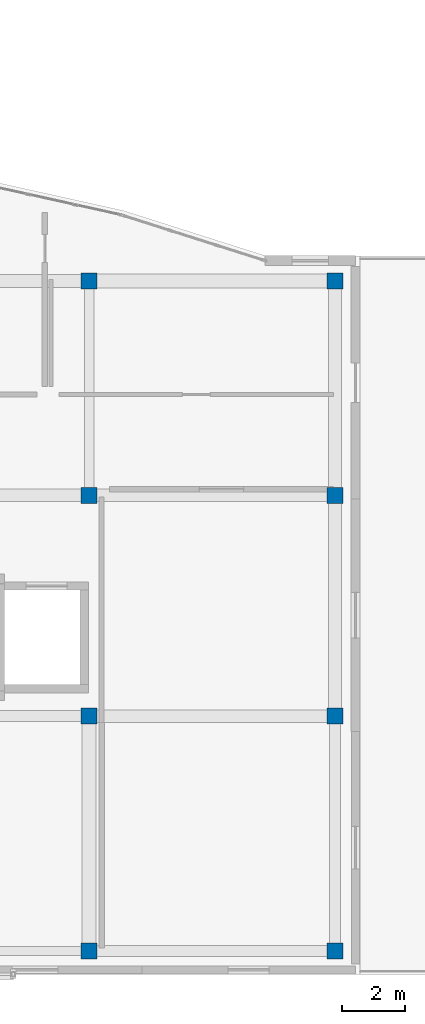
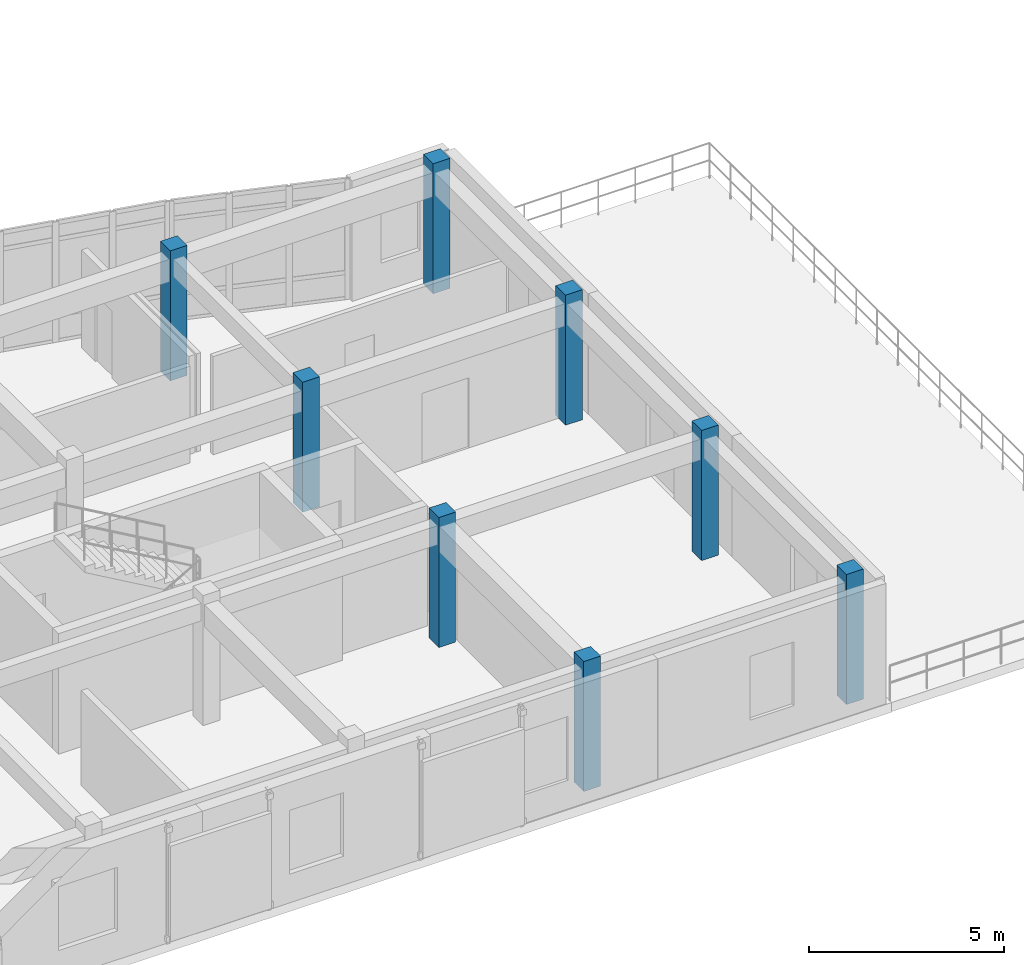
# One storey, part 5 of 91: 8 columns.
"""IFC4 building model written with IfcOpenShell, lengths in metres."""

from ifc_helpers import new_model, si_unit, direction, frame, origin, origin_2d, place, context, subcontext, project, spatial, rectangle, extrude, material, material_profile, profile_set, type_object, element, save


model = new_model("IFC4")

# Units and contexts
model_context = context("Model", 3, precision=1e-05, world=origin(), true_north=direction((0.0, 1.0)))
body_context = subcontext(model_context, "Body", "Model", "MODEL_VIEW")
ifc_project = project(units=[si_unit("LENGTHUNIT", "METRE"), si_unit("AREAUNIT", "SQUARE_METRE"), si_unit("VOLUMEUNIT", "CUBIC_METRE"), si_unit("PLANEANGLEUNIT", "RADIAN"), si_unit("MASSUNIT", "GRAM", prefix="KILO")], contexts=[model_context])

# Site, building, storey
site_placement = place(None, origin())
site = spatial("IfcSite", under=ifc_project, at=site_placement, CompositionType="ELEMENT")
building_placement = place(site_placement, origin())
building = spatial("IfcBuilding", under=site, at=building_placement, Name="Valcora Specialist Clinic", CompositionType="ELEMENT")
storey_placement = place(building_placement, frame((0.0, 0.0, 13.60009765625)))
storey = spatial("IfcBuildingStorey", under=building, at=storey_placement, Name="L03", CompositionType="ELEMENT", Elevation=13.60009765625)

# Columns
ifc_material = material(Name="Concrete C40/50", Category="concrete")
ifc_material_profile = material_profile(ifc_material, rectangle(XDim=0.5, YDim=0.5, at=origin_2d()), Name="RC-COL-500X500")
ifc_profile_set = profile_set([ifc_material_profile], Name="Concrete C40/50")
column_type = type_object("IfcColumnType", Name="TY-COL-RC500", PredefinedType="COLUMN", material=ifc_profile_set)
for number, where, z_axis, x_axis, name in (
    (1, (99.39990234375, 0.75, 0.0), (0.0, 0.0, 1.0), (1.0, 0.0, 0.0), "Column COL-L03-0880"),
    (2, (99.39990234375, 8.199951171875, 0.0), (0.0, 0.0, 1.0), (1.0, 0.0, 0.0), "Column COL-L03-0885"),
    (3, (99.39990234375, 15.199951171875, 0.0), (0.0, 0.0, 1.0), (1.0, 0.0, 0.0), "Column COL-L03-0891"),
    (4, (99.39990234375, 22.0, 0.0), (0.0, 0.0, 1.0), (1.0, 0.0, 0.0), "Column COL-L03-0897"),
    (5, (107.199951171875, 0.75, 0.0), (0.0, 0.0, 1.0), (1.0, 0.0, 0.0), "Column COL-L03-0903"),
    (6, (107.199951171875, 8.199951171875, 0.0), (0.0, 0.0, 1.0), (1.0, 0.0, 0.0), "Column COL-L03-0908"),
    (7, (107.199951171875, 15.199951171875, 0.0), (0.0, 0.0, 1.0), (1.0, 0.0, 0.0), "Column COL-L03-0913"),
    (8, (107.199951171875, 22.0, 0.0), (0.0, 0.0, 1.0), (1.0, 0.0, 0.0), "Column COL-L03-0918"),
):
    element("IfcColumn", number, at=place(storey_placement, frame(where, z_axis=z_axis, x_axis=x_axis)), inside=storey, type_object=column_type, Name=name, PredefinedType="COLUMN", context=body_context, shape_type="SweptSolid", body=[
        extrude(rectangle(XDim=0.5, YDim=0.5, at=origin_2d()), origin(), (0.0, 0.0, 1.0), 4.079833984375),
    ])

save(model, "model.ifc")
